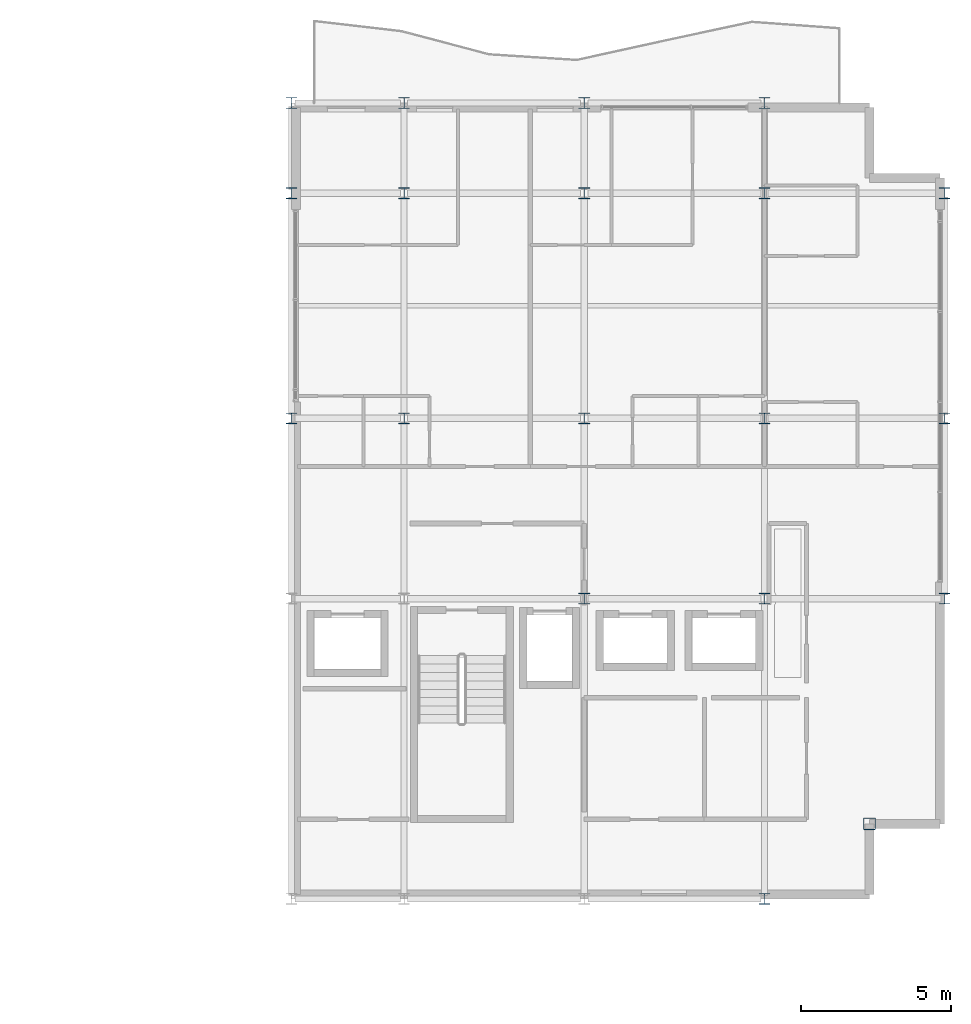
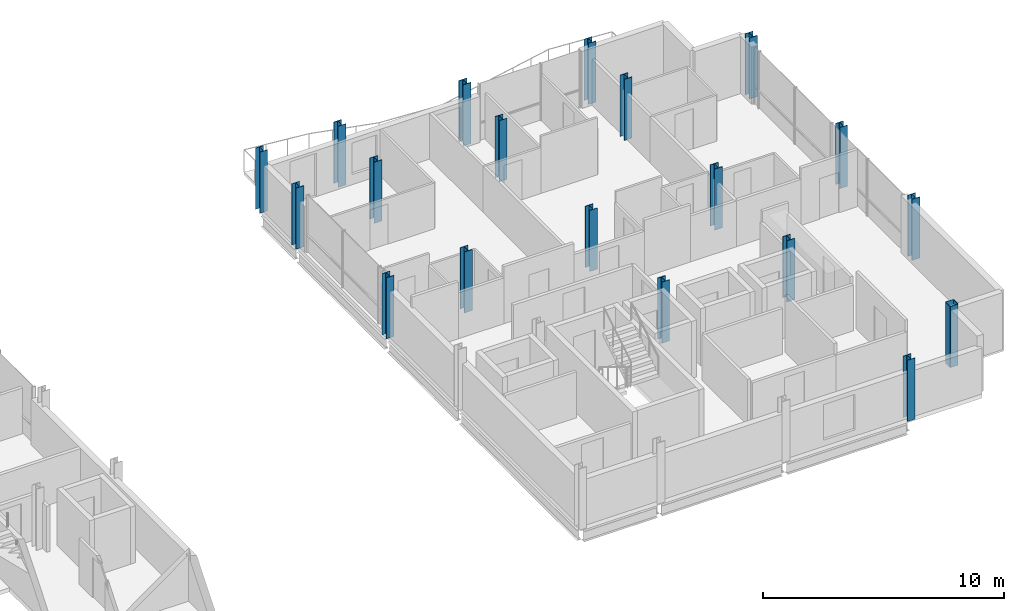
# One storey, part 2 of 29: 19 columns.
"""IFC4 building model written with IfcOpenShell, lengths in metres."""

from ifc_helpers import new_model, si_unit, direction, frame, origin, origin_2d, place, context, subcontext, project, spatial, hollow_rectangle, i_section, extrude, material, material_profile, profile_set, type_object, element, save


model = new_model("IFC4")

# Units and contexts
model_context = context("Model", 3, precision=1e-05, world=origin(), true_north=direction((0.0, 1.0)))
body_context = subcontext(model_context, "Body", "Model", "MODEL_VIEW")
ifc_project = project(units=[si_unit("LENGTHUNIT", "METRE"), si_unit("AREAUNIT", "SQUARE_METRE"), si_unit("VOLUMEUNIT", "CUBIC_METRE"), si_unit("PLANEANGLEUNIT", "RADIAN"), si_unit("MASSUNIT", "GRAM", prefix="KILO")], contexts=[model_context])

# Site, building, storey
site_placement = place(None, origin())
site = spatial("IfcSite", under=ifc_project, at=site_placement, CompositionType="ELEMENT")
building_placement = place(site_placement, origin())
building = spatial("IfcBuilding", under=site, at=building_placement, Name="Brevholm Reach", CompositionType="ELEMENT")
storey_placement = place(building_placement, frame((0.0, 0.0, 201.800048828125)))
storey = spatial("IfcBuildingStorey", under=building, at=storey_placement, Name="L61", CompositionType="ELEMENT", Elevation=201.800048828125)

# Columns
ifc_material_1 = material(Name="Structural Steel S460NH", Category="steel")
ifc_material_profile_1 = material_profile(ifc_material_1, hollow_rectangle(XDim=0.39990234375, YDim=0.39990234375, WallThickness=0.02001953125, InnerFilletRadius=0.011962890625, OuterFilletRadius=0.02392578125, at=origin_2d()), Name="SHS 400x400x20")
ifc_profile_set_1 = profile_set([ifc_material_profile_1], Name="Structural Steel S460NH")
column_type_1 = type_object("IfcColumnType", Name="COL-SHS2", PredefinedType="COLUMN", material=ifc_profile_set_1)
column_placement = place(storey_placement, frame((57.5, 2.5, 0.0), z_axis=(0.0, 0.0, 1.0), x_axis=(1.0, 0.0, 0.0)))
element("IfcColumn", 1, at=column_placement, inside=storey, type_object=column_type_1, Name="L61 Column 45", PredefinedType="COLUMN", context=body_context, shape_type="SweptSolid", body=[
    extrude(hollow_rectangle(XDim=0.39990234375, YDim=0.39990234375, WallThickness=0.02001953125, InnerFilletRadius=0.011962890625, OuterFilletRadius=0.02392578125, at=origin_2d()), origin(), (0.0, 0.0, 1.0), 3.099853515625),
])
ifc_material_2 = material(Name="Structural Steel S355J2", Category="steel")
ifc_material_profile_2 = material_profile(ifc_material_2, i_section(OverallWidth=0.374755859375, OverallDepth=0.37451171875, WebThickness=0.0166015625, FlangeThickness=0.027099609375, FilletRadius=0.01513671875, at=origin_2d()), Name="UKC 356x368x202")
ifc_profile_set_2 = profile_set([ifc_material_profile_2], Name="Structural Steel S355J2")
column_type_2 = type_object("IfcColumnType", Name="COL-UC6", PredefinedType="COLUMN", material=ifc_profile_set_2)
for number, where, z_axis, x_axis, name in (
    (2, (38.25, 16.0, 0.0), (0.0, 0.0, 1.0), (1.0, 0.0, 0.0), "L61 Column 27"),
    (3, (38.25, 23.5, 0.0), (0.0, 0.0, 1.0), (1.0, 0.0, 0.0), "L61 Column 28"),
    (4, (38.25, 26.5, 0.0), (0.0, 0.0, 1.0), (1.0, 0.0, 0.0), "L61 Column 29"),
    (5, (42.0, 16.0, 0.0), (0.0, 0.0, 1.0), (1.0, 0.0, 0.0), "L61 Column 32"),
    (6, (42.0, 23.5, 0.0), (0.0, 0.0, 1.0), (1.0, 0.0, 0.0), "L61 Column 33"),
    (7, (42.0, 26.5, 0.0), (0.0, 0.0, 1.0), (1.0, 0.0, 0.0), "L61 Column 34"),
    (8, (48.0, 10.0, 0.0), (0.0, 0.0, 1.0), (1.0, 0.0, 0.0), "L61 Column 36"),
    (9, (48.0, 16.0, 0.0), (0.0, 0.0, 1.0), (1.0, 0.0, 0.0), "L61 Column 37"),
    (10, (48.0, 23.5, 0.0), (0.0, 0.0, 1.0), (1.0, 0.0, 0.0), "L61 Column 38"),
    (11, (48.0, 26.5, 0.0), (0.0, 0.0, 1.0), (1.0, 0.0, 0.0), "L61 Column 39"),
    (12, (54.0, 0.0, 0.0), (0.0, 0.0, 1.0), (1.0, 0.0, 0.0), "L61 Column 40"),
    (13, (54.0, 10.0, 0.0), (0.0, 0.0, 1.0), (1.0, 0.0, 0.0), "L61 Column 41"),
    (14, (54.0, 16.0, 0.0), (0.0, 0.0, 1.0), (1.0, 0.0, 0.0), "L61 Column 42"),
    (15, (54.0, 23.5, 0.0), (0.0, 0.0, 1.0), (1.0, 0.0, 0.0), "L61 Column 43"),
    (16, (54.0, 26.5, 0.0), (0.0, 0.0, 1.0), (1.0, 0.0, 0.0), "L61 Column 44"),
    (17, (60.0, 10.0, 0.0), (0.0, 0.0, 1.0), (1.0, 0.0, 0.0), "L61 Column 46"),
    (18, (60.0, 16.0, 0.0), (0.0, 0.0, 1.0), (1.0, 0.0, 0.0), "L61 Column 47"),
    (19, (60.0, 23.5, 0.0), (0.0, 0.0, 1.0), (1.0, 0.0, 0.0), "L61 Column 48"),
):
    element("IfcColumn", number, at=place(storey_placement, frame(where, z_axis=z_axis, x_axis=x_axis)), inside=storey, type_object=column_type_2, Name=name, PredefinedType="COLUMN", context=body_context, shape_type="SweptSolid", body=[
        extrude(i_section(OverallWidth=0.374755859375, OverallDepth=0.37451171875, WebThickness=0.0166015625, FlangeThickness=0.027099609375, FilletRadius=0.01513671875, at=origin_2d()), origin(), (0.0, 0.0, 1.0), 3.099853515625),
    ])

save(model, "model.ifc")
